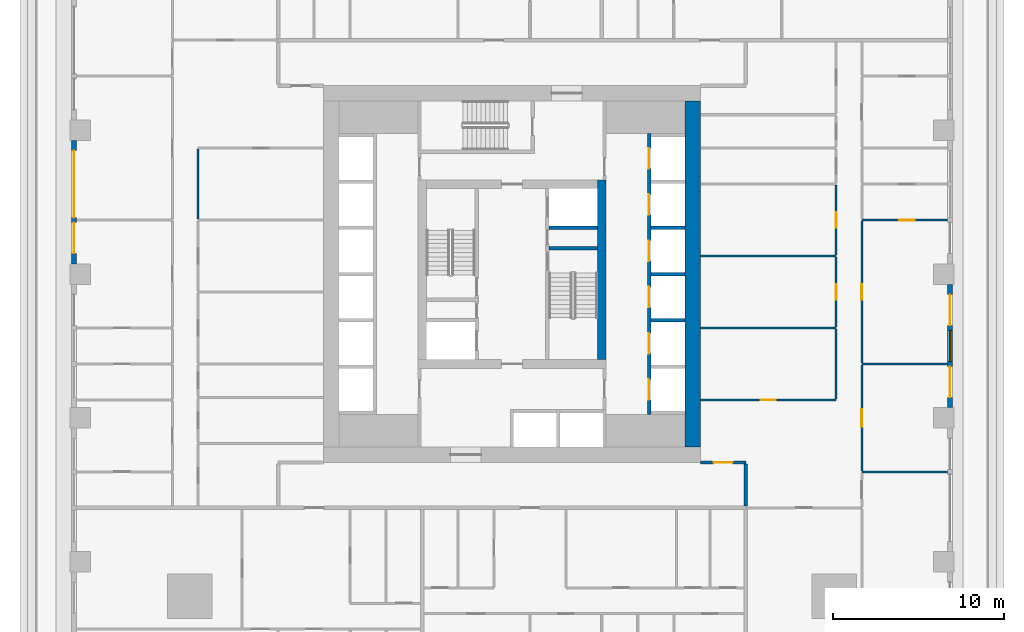
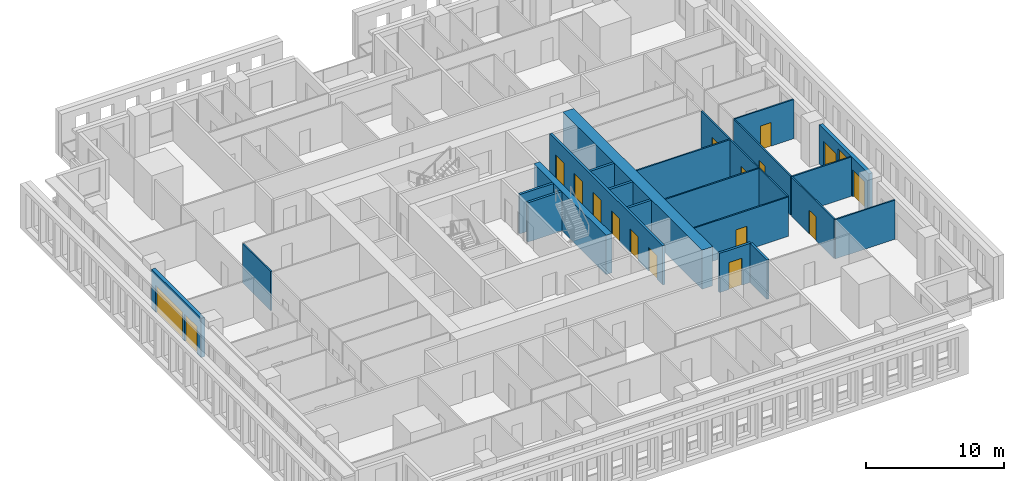
# One storey, part 6 of 16: 24 walls, 17 doors, 1 window, 18 openings.
"""IFC4 building model written with IfcOpenShell, lengths in metres."""

from ifc_helpers import new_model, si_unit, direction, frame, frame_2d, origin, place, context, subcontext, project, spatial, rectangle, extrude, material, layer, layer_set, type_object, element, fill, save


model = new_model("IFC4")

# Units and contexts
model_context = context("Model", 3, precision=1e-05, world=origin(), true_north=direction((0.0, 1.0)))
body_context = subcontext(model_context, "Body", "Model", "MODEL_VIEW")
ifc_project = project(units=[si_unit("LENGTHUNIT", "METRE"), si_unit("AREAUNIT", "SQUARE_METRE"), si_unit("VOLUMEUNIT", "CUBIC_METRE"), si_unit("PLANEANGLEUNIT", "RADIAN"), si_unit("MASSUNIT", "GRAM", prefix="KILO")], contexts=[model_context])

# Site, building, storey
site_placement = place(None, origin())
site = spatial("IfcSite", under=ifc_project, at=site_placement, CompositionType="ELEMENT")
building_placement = place(site_placement, origin())
building = spatial("IfcBuilding", under=site, at=building_placement, Name="Khepri Terraces", CompositionType="ELEMENT")
storey_placement = place(building_placement, frame((0.0, 0.0, 133.800048828125)))
storey = spatial("IfcBuildingStorey", under=building, at=storey_placement, Name="L31", CompositionType="ELEMENT", Elevation=133.800048828125)

# Wall
ifc_material_1 = material(Name="Concrete C60/75", Category="concrete")
ifc_layer_1 = layer(ifc_material_1, 0.199951171875, Name="Concrete C60/75", Category="concrete")
ifc_layer_set_1 = layer_set([ifc_layer_1], Name="Concrete C60/75")
wall_type_1 = type_object("IfcWallType", Name="Core wall 200 C60/75", PredefinedType="SHEAR", material=ifc_layer_set_1)
wall_1_placement = place(storey_placement, frame((2.14990234375, 1.5, 0.0), z_axis=(0.0, 0.0, 1.0), x_axis=(1.0, 0.0, 0.0)))
element("IfcWall", 1, at=wall_1_placement, inside=storey, type_object=wall_type_1, Name="Core wall ST04 L31", PredefinedType="SHEAR", context=body_context, shape_type="SweptSolid", body=[
    extrude(rectangle(XDim=2.85009765625, YDim=0.199951171875, at=frame_2d((1.425048828125, 0.0))), origin(), (0.0, 0.0, 1.0), 3.47998046875),
])

# Wall, openings, doors
wall_2_placement = place(storey_placement, frame((8.0, -8.199951171875, 0.0), z_axis=(0.0, 0.0, 1.0), x_axis=(0.0, 1.0, 0.0)))
wall_2 = element("IfcWall", 2, at=wall_2_placement, inside=storey, type_object=wall_type_1, Name="Core wall SH05 L31", PredefinedType="SHEAR", context=body_context, shape_type="SweptSolid", body=[
    extrude(rectangle(XDim=16.39990234375, YDim=0.199951171875, at=frame_2d((8.199951171875, 0.0))), origin(), (0.0, 0.0, 1.0), 3.47998046875),
])
opening_1_placement = place(wall_2_placement, frame((0.85009765625, 0.0, 0.0)))
opening_1 = element("IfcOpeningElement", 3, at=opening_1_placement, cuts=wall_2, Name="Opening L31-C01", PredefinedType="OPENING", context=body_context, shape_type="SweptSolid", body=[
    extrude(rectangle(XDim=1.199951171875, YDim=2.10009765625, at=frame_2d((0.60009765625, 1.050048828125))), frame((0.0, 0.10986328125, 0.0), z_axis=(0.0, -1.0, 0.0), x_axis=(1.0, 0.0, 0.0)), (0.0, 0.0, 1.0), 0.219970703125),
])
opening_2_placement = place(wall_2_placement, frame((3.550048828125, 0.0, 0.0)))
opening_2 = element("IfcOpeningElement", 4, at=opening_2_placement, cuts=wall_2, Name="Opening L31-C02", PredefinedType="OPENING", context=body_context, shape_type="SweptSolid", body=[
    extrude(rectangle(XDim=1.199951171875, YDim=2.10009765625, at=frame_2d((0.60009765625, 1.050048828125))), frame((0.0, 0.10986328125, 0.0), z_axis=(0.0, -1.0, 0.0), x_axis=(1.0, 0.0, 0.0)), (0.0, 0.0, 1.0), 0.219970703125),
])
opening_3_placement = place(wall_2_placement, frame((6.25, 0.0, 0.0)))
opening_3 = element("IfcOpeningElement", 5, at=opening_3_placement, cuts=wall_2, Name="Opening L31-C03", PredefinedType="OPENING", context=body_context, shape_type="SweptSolid", body=[
    extrude(rectangle(XDim=1.199951171875, YDim=2.10009765625, at=frame_2d((0.60009765625, 1.050048828125))), frame((0.0, 0.10986328125, 0.0), z_axis=(0.0, -1.0, 0.0), x_axis=(1.0, 0.0, 0.0)), (0.0, 0.0, 1.0), 0.219970703125),
])
opening_4_placement = place(wall_2_placement, frame((8.949951171875, 0.0, 0.0)))
opening_4 = element("IfcOpeningElement", 6, at=opening_4_placement, cuts=wall_2, Name="Opening L31-C04", PredefinedType="OPENING", context=body_context, shape_type="SweptSolid", body=[
    extrude(rectangle(XDim=1.199951171875, YDim=2.10009765625, at=frame_2d((0.60009765625, 1.050048828125))), frame((0.0, 0.10986328125, 0.0), z_axis=(0.0, -1.0, 0.0), x_axis=(1.0, 0.0, 0.0)), (0.0, 0.0, 1.0), 0.219970703125),
])
opening_5_placement = place(wall_2_placement, frame((11.64990234375, 0.0, 0.0)))
opening_5 = element("IfcOpeningElement", 7, at=opening_5_placement, cuts=wall_2, Name="Opening L31-C05", PredefinedType="OPENING", context=body_context, shape_type="SweptSolid", body=[
    extrude(rectangle(XDim=1.199951171875, YDim=2.10009765625, at=frame_2d((0.60009765625, 1.050048828125))), frame((0.0, 0.10986328125, 0.0), z_axis=(0.0, -1.0, 0.0), x_axis=(1.0, 0.0, 0.0)), (0.0, 0.0, 1.0), 0.219970703125),
])
opening_6_placement = place(wall_2_placement, frame((14.35009765625, 0.0, 0.0)))
opening_6 = element("IfcOpeningElement", 8, at=opening_6_placement, cuts=wall_2, Name="Opening L31-C06", PredefinedType="OPENING", context=body_context, shape_type="SweptSolid", body=[
    extrude(rectangle(XDim=1.199951171875, YDim=2.10009765625, at=frame_2d((0.60009765625, 1.050048828125))), frame((0.0, 0.10986328125, 0.0), z_axis=(0.0, -1.0, 0.0), x_axis=(1.0, 0.0, 0.0)), (0.0, 0.0, 1.0), 0.219970703125),
])
ifc_material_2 = material(Name="Stainless steel 304", Category="steel")
door_type_1 = type_object("IfcDoorType", Name="DR-CORE-LANDING-1200", OperationType="NOTDEFINED", PredefinedType="DOOR", material=ifc_material_2)
door_1_placement = place(opening_1_placement, origin())
door_1 = element("IfcDoor", 9, at=door_1_placement, inside=storey, type_object=door_type_1, Name="Lift landing door L31-C01", OperationType="SLIDING_TO_LEFT", OverallHeight=2.10009765625, OverallWidth=1.199951171875, PredefinedType="DOOR", context=body_context, shape_type="SweptSolid", body=[
    extrude(rectangle(XDim=1.199951171875, YDim=2.10009765625, at=frame_2d((0.60009765625, 1.050048828125))), frame((0.0, 0.02490234375, 0.0), z_axis=(0.0, -1.0, 0.0), x_axis=(1.0, 0.0, 0.0)), (0.0, 0.0, 1.0), 0.050048828125),
])
fill(opening_1, door_1)
door_2_placement = place(opening_2_placement, origin())
door_2 = element("IfcDoor", 10, at=door_2_placement, inside=storey, type_object=door_type_1, Name="Lift landing door L31-C02", OperationType="SLIDING_TO_LEFT", OverallHeight=2.10009765625, OverallWidth=1.199951171875, PredefinedType="DOOR", context=body_context, shape_type="SweptSolid", body=[
    extrude(rectangle(XDim=1.199951171875, YDim=2.10009765625, at=frame_2d((0.60009765625, 1.050048828125))), frame((0.0, 0.02490234375, 0.0), z_axis=(0.0, -1.0, 0.0), x_axis=(1.0, 0.0, 0.0)), (0.0, 0.0, 1.0), 0.050048828125),
])
fill(opening_2, door_2)
door_3_placement = place(opening_3_placement, origin())
door_3 = element("IfcDoor", 11, at=door_3_placement, inside=storey, type_object=door_type_1, Name="Lift landing door L31-C03", OperationType="SLIDING_TO_LEFT", OverallHeight=2.10009765625, OverallWidth=1.199951171875, PredefinedType="DOOR", context=body_context, shape_type="SweptSolid", body=[
    extrude(rectangle(XDim=1.199951171875, YDim=2.10009765625, at=frame_2d((0.60009765625, 1.050048828125))), frame((0.0, 0.02490234375, 0.0), z_axis=(0.0, -1.0, 0.0), x_axis=(1.0, 0.0, 0.0)), (0.0, 0.0, 1.0), 0.050048828125),
])
fill(opening_3, door_3)
door_4_placement = place(opening_4_placement, origin())
door_4 = element("IfcDoor", 12, at=door_4_placement, inside=storey, type_object=door_type_1, Name="Lift landing door L31-C04", OperationType="SLIDING_TO_LEFT", OverallHeight=2.10009765625, OverallWidth=1.199951171875, PredefinedType="DOOR", context=body_context, shape_type="SweptSolid", body=[
    extrude(rectangle(XDim=1.199951171875, YDim=2.10009765625, at=frame_2d((0.60009765625, 1.050048828125))), frame((0.0, 0.02490234375, 0.0), z_axis=(0.0, -1.0, 0.0), x_axis=(1.0, 0.0, 0.0)), (0.0, 0.0, 1.0), 0.050048828125),
])
fill(opening_4, door_4)
door_5_placement = place(opening_5_placement, origin())
door_5 = element("IfcDoor", 13, at=door_5_placement, inside=storey, type_object=door_type_1, Name="Lift landing door L31-C05", OperationType="SLIDING_TO_LEFT", OverallHeight=2.10009765625, OverallWidth=1.199951171875, PredefinedType="DOOR", context=body_context, shape_type="SweptSolid", body=[
    extrude(rectangle(XDim=1.199951171875, YDim=2.10009765625, at=frame_2d((0.60009765625, 1.050048828125))), frame((0.0, 0.02490234375, 0.0), z_axis=(0.0, -1.0, 0.0), x_axis=(1.0, 0.0, 0.0)), (0.0, 0.0, 1.0), 0.050048828125),
])
fill(opening_5, door_5)
door_6_placement = place(opening_6_placement, origin())
door_6 = element("IfcDoor", 14, at=door_6_placement, inside=storey, type_object=door_type_1, Name="Lift landing door L31-C06", OperationType="SLIDING_TO_LEFT", OverallHeight=2.10009765625, OverallWidth=1.199951171875, PredefinedType="DOOR", context=body_context, shape_type="SweptSolid", body=[
    extrude(rectangle(XDim=1.199951171875, YDim=2.10009765625, at=frame_2d((0.60009765625, 1.050048828125))), frame((0.0, 0.02490234375, 0.0), z_axis=(0.0, -1.0, 0.0), x_axis=(1.0, 0.0, 0.0)), (0.0, 0.0, 1.0), 0.050048828125),
])
fill(opening_6, door_6)

# Walls
for number, where, z_axis, x_axis, name in (
    (15, (8.10009765625, -2.699951171875, 0.0), (0.0, 0.0, 1.0), (1.0, 0.0, 0.0), "Core wall SH15 L31"),
    (16, (8.10009765625, 0.0, 0.0), (0.0, 0.0, 1.0), (1.0, 0.0, 0.0), "Core wall SH17 L31"),
):
    element("IfcWall", number, at=place(storey_placement, frame(where, z_axis=z_axis, x_axis=x_axis)), inside=storey, type_object=wall_type_1, Name=name, PredefinedType="SHEAR", context=body_context, shape_type="SweptSolid", body=[
        extrude(rectangle(XDim=2.0, YDim=0.199951171875, at=frame_2d((1.0, 0.0))), origin(), (0.0, 0.0, 1.0), 3.47998046875),
    ])
wall_3_placement = place(storey_placement, frame((2.14990234375, 2.699951171875, 0.0), z_axis=(0.0, 0.0, 1.0), x_axis=(1.0, 0.0, 0.0)))
element("IfcWall", 17, at=wall_3_placement, inside=storey, type_object=wall_type_1, Name="Core wall SH20 L31", PredefinedType="SHEAR", context=body_context, shape_type="SweptSolid", body=[
    extrude(rectangle(XDim=2.85009765625, YDim=0.199951171875, at=frame_2d((1.425048828125, 0.0))), origin(), (0.0, 0.0, 1.0), 3.47998046875),
])
wall_4_placement = place(storey_placement, frame((8.10009765625, 2.699951171875, 0.0), z_axis=(0.0, 0.0, 1.0), x_axis=(1.0, 0.0, 0.0)))
element("IfcWall", 18, at=wall_4_placement, inside=storey, type_object=wall_type_1, Name="Core wall SH21 L31", PredefinedType="SHEAR", context=body_context, shape_type="SweptSolid", body=[
    extrude(rectangle(XDim=2.0, YDim=0.199951171875, at=frame_2d((1.0, 0.0))), origin(), (0.0, 0.0, 1.0), 3.47998046875),
])
ifc_layer_2 = layer(ifc_material_1, 0.5, Name="Concrete C60/75", Category="concrete")
ifc_layer_set_2 = layer_set([ifc_layer_2], Name="Concrete C60/75")
wall_type_2 = type_object("IfcWallType", Name="Core wall 500 C60/75", PredefinedType="SHEAR", material=ifc_layer_set_2)
wall_5_placement = place(storey_placement, frame((5.25, -5.0, 0.0), z_axis=(0.0, 0.0, 1.0), x_axis=(0.0, 1.0, 0.0)))
element("IfcWall", 19, at=wall_5_placement, inside=storey, type_object=wall_type_2, Name="Core wall BX03 L31", PredefinedType="SHEAR", context=body_context, shape_type="SweptSolid", body=[
    extrude(rectangle(XDim=10.5, YDim=0.5, at=frame_2d((5.25, 0.0))), origin(), (0.0, 0.0, 1.0), 3.47998046875),
])
ifc_layer_3 = layer(ifc_material_1, 0.89990234375, Name="Concrete C60/75", Category="concrete")
ifc_layer_set_3 = layer_set([ifc_layer_3], Name="Concrete C60/75")
wall_type_3 = type_object("IfcWallType", Name="Core wall 900 C60/75", PredefinedType="SHEAR", material=ifc_layer_set_3)
wall_6_placement = place(storey_placement, frame((10.550048828125, -10.10009765625, 0.0), z_axis=(0.0, 0.0, 1.0), x_axis=(0.0, 1.0, 0.0)))
element("IfcWall", 20, at=wall_6_placement, inside=storey, type_object=wall_type_3, Name="Core wall OW-E L31", PredefinedType="SHEAR", context=body_context, shape_type="SweptSolid", body=[
    extrude(rectangle(XDim=20.2001953125, YDim=0.89990234375, at=frame_2d((10.10009765625, 0.0))), origin(), (0.0, 0.0, 1.0), 3.47998046875),
])
ifc_material_3 = material(Name="Fire-rated gypsum plasterboard partition, mineral wool")
ifc_layer_4 = layer(ifc_material_3, 0.199951171875, Name="Fire-rated gypsum plasterboard partition, mineral wool")
ifc_layer_set_4 = layer_set([ifc_layer_4], Name="Fire-rated gypsum plasterboard partition, mineral wool")
wall_type_4 = type_object("IfcWallType", Name="WL-CORR-200", PredefinedType="PARTITIONING", material=ifc_layer_set_4)
wall_7_placement = place(storey_placement, frame((13.64990234375, -13.550048828125, 0.0), z_axis=(0.0, 0.0, 1.0), x_axis=(0.0, 1.0, 0.0)))
element("IfcWall", 21, at=wall_7_placement, inside=storey, type_object=wall_type_4, Name="Partition P-030 L31", PredefinedType="PARTITIONING", context=body_context, shape_type="SweptSolid", body=[
    extrude(rectangle(XDim=2.449951171875, YDim=0.199951171875, at=frame_2d((1.22509765625, 0.0))), origin(), (0.0, 0.0, 1.0), 3.47998046875),
])

# Wall, opening, door
wall_8_placement = place(storey_placement, frame((11.0, -11.0, 0.0), z_axis=(0.0, 0.0, 1.0), x_axis=(1.0, 0.0, 0.0)))
wall_8 = element("IfcWall", 22, at=wall_8_placement, inside=storey, type_object=wall_type_4, Name="Partition P-036 L31", PredefinedType="PARTITIONING", context=body_context, shape_type="SweptSolid", body=[
    extrude(rectangle(XDim=2.64990234375, YDim=0.199951171875, at=frame_2d((1.324951171875, 0.0))), origin(), (0.0, 0.0, 1.0), 3.47998046875),
])
opening_7_placement = place(wall_8_placement, frame((0.77490234375, 0.0, 0.0)))
opening_7 = element("IfcOpeningElement", 23, at=opening_7_placement, cuts=wall_8, Name="Opening D1", PredefinedType="OPENING", context=body_context, shape_type="SweptSolid", body=[
    extrude(rectangle(XDim=1.10009765625, YDim=2.39990234375, at=frame_2d((0.550048828125, 1.199951171875))), frame((0.0, 0.10986328125, 0.0), z_axis=(0.0, -1.0, 0.0), x_axis=(1.0, 0.0, 0.0)), (0.0, 0.0, 1.0), 0.219970703125),
])
ifc_material_4 = material(Name="Solid-core timber door leaf, flat entrance door", Category="wood")
door_type_2 = type_object("IfcDoorType", Name="DR-ENT-1100", OperationType="NOTDEFINED", PredefinedType="DOOR", material=ifc_material_4)
door_7_placement = place(opening_7_placement, origin())
door_7 = element("IfcDoor", 24, at=door_7_placement, inside=storey, type_object=door_type_2, Name="Flat B1 entrance door", OperationType="SINGLE_SWING_LEFT", OverallHeight=2.39990234375, OverallWidth=1.10009765625, PredefinedType="DOOR", context=body_context, shape_type="SweptSolid", body=[
    extrude(rectangle(XDim=1.10009765625, YDim=2.39990234375, at=frame_2d((0.550048828125, 1.199951171875))), frame((0.0, 0.02490234375, 0.0), z_axis=(0.0, -1.0, 0.0), x_axis=(1.0, 0.0, 0.0)), (0.0, 0.0, 1.0), 0.050048828125),
])
fill(opening_7, door_7)

# Wall, openings, doors, window
ifc_material_5 = material(Name="Precast concrete C50/60 warm stone", Category="masonry")
ifc_layer_5 = layer(ifc_material_5, 0.300048828125, Name="Precast concrete C50/60 warm stone", Category="masonry")
ifc_layer_set_5 = layer_set([ifc_layer_5], Name="Precast concrete C50/60 warm stone")
wall_type_5 = type_object("IfcWallType", Name="WL-EXT-PRECAST-300", PredefinedType="STANDARD", material=ifc_layer_set_5)
wall_9_placement = place(storey_placement, frame((25.570068359375, -7.800048828125, 0.0), z_axis=(0.0, 0.0, 1.0), x_axis=(0.0, 1.0, 0.0)))
wall_9 = element("IfcWall", 25, at=wall_9_placement, inside=storey, type_object=wall_type_5, Name="External wall L31 E", PredefinedType="STANDARD", context=body_context, shape_type="SweptSolid", body=[
    extrude(rectangle(XDim=7.199951171875, YDim=0.300048828125, at=frame_2d((3.60009765625, 0.0))), origin(), (0.0, 0.0, 1.0), 3.47998046875),
])
opening_8_placement = place(wall_9_placement, frame((0.60009765625, 0.0, 0.0)))
opening_8 = element("IfcOpeningElement", 26, at=opening_8_placement, cuts=wall_9, Name="Opening ED-L31-04", PredefinedType="OPENING", context=body_context, shape_type="SweptSolid", body=[
    extrude(rectangle(XDim=1.800048828125, YDim=2.39990234375, at=frame_2d((0.89990234375, 1.199951171875))), frame((0.0, 0.16015625, 0.0), z_axis=(0.0, -1.0, 0.0), x_axis=(1.0, 0.0, 0.0)), (0.0, 0.0, 1.0), 0.320068359375),
])
opening_9_placement = place(wall_9_placement, frame((2.699951171875, 0.0, 0.89990234375)))
opening_9 = element("IfcOpeningElement", 27, at=opening_9_placement, cuts=wall_9, Name="Opening W1", PredefinedType="OPENING", context=body_context, shape_type="SweptSolid", body=[
    extrude(rectangle(XDim=1.800048828125, YDim=2.10009765625, at=frame_2d((0.89990234375, 1.050048828125))), frame((0.0, 0.16015625, 0.0), z_axis=(0.0, -1.0, 0.0), x_axis=(1.0, 0.0, 0.0)), (0.0, 0.0, 1.0), 0.320068359375),
])
opening_10_placement = place(wall_9_placement, frame((4.800048828125, 0.0, 0.0)))
opening_10 = element("IfcOpeningElement", 28, at=opening_10_placement, cuts=wall_9, Name="Opening ED-L31-05", PredefinedType="OPENING", context=body_context, shape_type="SweptSolid", body=[
    extrude(rectangle(XDim=1.800048828125, YDim=2.39990234375, at=frame_2d((0.89990234375, 1.199951171875))), frame((0.0, 0.16015625, 0.0), z_axis=(0.0, -1.0, 0.0), x_axis=(1.0, 0.0, 0.0)), (0.0, 0.0, 1.0), 0.320068359375),
])
ifc_material_6 = material(Name="Anodised aluminium bronze glazed door", Category="aluminium")
door_type_3 = type_object("IfcDoorType", Name="DR-BAL-SLIDE-1800x2400", OperationType="NOTDEFINED", PredefinedType="DOOR", material=ifc_material_6)
door_8_placement = place(opening_8_placement, origin())
door_8 = element("IfcDoor", 29, at=door_8_placement, inside=storey, type_object=door_type_3, Name="Balcony door L31 E", OperationType="SLIDING_TO_LEFT", OverallHeight=2.39990234375, OverallWidth=1.800048828125, PredefinedType="DOOR", context=body_context, shape_type="SweptSolid", body=[
    extrude(rectangle(XDim=1.800048828125, YDim=2.39990234375, at=frame_2d((0.89990234375, 1.199951171875))), frame((0.0, 0.02490234375, 0.0), z_axis=(0.0, -1.0, 0.0), x_axis=(1.0, 0.0, 0.0)), (0.0, 0.0, 1.0), 0.050048828125),
])
fill(opening_8, door_8)
door_9_placement = place(opening_10_placement, origin())
door_9 = element("IfcDoor", 30, at=door_9_placement, inside=storey, type_object=door_type_3, Name="Balcony door L31 E", OperationType="SLIDING_TO_RIGHT", OverallHeight=2.39990234375, OverallWidth=1.800048828125, PredefinedType="DOOR", context=body_context, shape_type="SweptSolid", body=[
    extrude(rectangle(XDim=1.800048828125, YDim=2.39990234375, at=frame_2d((0.89990234375, 1.199951171875))), frame((0.0, 0.02490234375, 0.0), z_axis=(0.0, -1.0, 0.0), x_axis=(1.0, 0.0, 0.0)), (0.0, 0.0, 1.0), 0.050048828125),
])
fill(opening_10, door_9)
ifc_material_7 = material(Name="Clear glass", Category="glass")
window_type = type_object("IfcWindowType", Name="WIN-RES-1800x2100", PartitioningType="SINGLE_PANEL", PredefinedType="WINDOW", material=ifc_material_7)
window_placement = place(opening_9_placement, origin())
window = element("IfcWindow", 31, at=window_placement, inside=storey, type_object=window_type, Name="Window L31 E", OverallHeight=2.10009765625, OverallWidth=1.800048828125, PartitioningType="SINGLE_PANEL", PredefinedType="WINDOW", context=body_context, shape_type="SweptSolid", body=[
    extrude(rectangle(XDim=1.800048828125, YDim=2.10009765625, at=frame_2d((0.89990234375, 1.050048828125))), frame((0.0, 0.030029296875, 0.0), z_axis=(0.0, -1.0, 0.0), x_axis=(1.0, 0.0, 0.0)), (0.0, 0.0, 1.0), 0.06005859375),
])
fill(opening_9, window)

# Wall, openings, doors
wall_10_placement = place(storey_placement, frame((-25.570068359375, 7.800048828125, 0.0), z_axis=(0.0, 0.0, 1.0), x_axis=(0.0, -1.0, 0.0)))
wall_10 = element("IfcWall", 32, at=wall_10_placement, inside=storey, type_object=wall_type_5, Name="External wall L31 W", PredefinedType="STANDARD", context=body_context, shape_type="SweptSolid", body=[
    extrude(rectangle(XDim=7.199951171875, YDim=0.300048828125, at=frame_2d((3.60009765625, 0.0))), origin(), (0.0, 0.0, 1.0), 3.47998046875),
])
opening_11_placement = place(wall_10_placement, frame((0.60009765625, 0.0, 0.0)))
opening_11 = element("IfcOpeningElement", 33, at=opening_11_placement, cuts=wall_10, Name="Opening ED-L31-16", PredefinedType="OPENING", context=body_context, shape_type="SweptSolid", body=[
    extrude(rectangle(XDim=3.89990234375, YDim=2.39990234375, at=frame_2d((1.949951171875, 1.199951171875))), frame((0.0, 0.16015625, 0.0), z_axis=(0.0, -1.0, 0.0), x_axis=(1.0, 0.0, 0.0)), (0.0, 0.0, 1.0), 0.320068359375),
])
opening_12_placement = place(wall_10_placement, frame((4.800048828125, 0.0, 0.0)))
opening_12 = element("IfcOpeningElement", 34, at=opening_12_placement, cuts=wall_10, Name="Opening ED-L31-17", PredefinedType="OPENING", context=body_context, shape_type="SweptSolid", body=[
    extrude(rectangle(XDim=1.800048828125, YDim=2.39990234375, at=frame_2d((0.89990234375, 1.199951171875))), frame((0.0, 0.16015625, 0.0), z_axis=(0.0, -1.0, 0.0), x_axis=(1.0, 0.0, 0.0)), (0.0, 0.0, 1.0), 0.320068359375),
])
door_10_placement = place(opening_12_placement, origin())
door_10 = element("IfcDoor", 35, at=door_10_placement, inside=storey, type_object=door_type_3, Name="Balcony door L31 W", OperationType="SLIDING_TO_RIGHT", OverallHeight=2.39990234375, OverallWidth=1.800048828125, PredefinedType="DOOR", context=body_context, shape_type="SweptSolid", body=[
    extrude(rectangle(XDim=1.800048828125, YDim=2.39990234375, at=frame_2d((0.89990234375, 1.199951171875))), frame((0.0, 0.02490234375, 0.0), z_axis=(0.0, -1.0, 0.0), x_axis=(1.0, 0.0, 0.0)), (0.0, 0.0, 1.0), 0.050048828125),
])
fill(opening_12, door_10)
door_type_4 = type_object("IfcDoorType", Name="DR-BAL-SLIDE-3900x2400", OperationType="NOTDEFINED", PredefinedType="DOOR", material=ifc_material_6)
door_11_placement = place(opening_11_placement, origin())
door_11 = element("IfcDoor", 36, at=door_11_placement, inside=storey, type_object=door_type_4, Name="Balcony door L31 W", OperationType="SLIDING_TO_LEFT", OverallHeight=2.39990234375, OverallWidth=3.89990234375, PredefinedType="DOOR", context=body_context, shape_type="SweptSolid", body=[
    extrude(rectangle(XDim=3.89990234375, YDim=2.39990234375, at=frame_2d((1.949951171875, 1.199951171875))), frame((0.0, 0.02490234375, 0.0), z_axis=(0.0, -1.0, 0.0), x_axis=(1.0, 0.0, 0.0)), (0.0, 0.0, 1.0), 0.050048828125),
])
fill(opening_11, door_11)

# Wall
ifc_material_8 = material(Name="Gypsum plasterboard partition")
ifc_layer_6 = layer(ifc_material_8, 0.1201171875, Name="Gypsum plasterboard partition")
ifc_layer_set_6 = layer_set([ifc_layer_6], Name="Gypsum plasterboard partition")
wall_type_6 = type_object("IfcWallType", Name="WL-PART-120", PredefinedType="PARTITIONING", material=ifc_layer_set_6)
wall_11_placement = place(storey_placement, frame((20.419921875, -11.550048828125, 0.0), z_axis=(0.0, 0.0, 1.0), x_axis=(1.0, 0.0, 0.0)))
element("IfcWall", 37, at=wall_11_placement, inside=storey, type_object=wall_type_6, Name="Partition P-032 L31", PredefinedType="PARTITIONING", context=body_context, shape_type="SweptSolid", body=[
    extrude(rectangle(XDim=5.0, YDim=0.1201171875, at=frame_2d((2.5, 0.0))), origin(), (0.0, 0.0, 1.0), 3.47998046875),
])

# Wall, opening, door
wall_12_placement = place(storey_placement, frame((20.419921875, -11.489990234375, 0.0), z_axis=(0.0, 0.0, 1.0), x_axis=(0.0, 1.0, 0.0)))
wall_12 = element("IfcWall", 38, at=wall_12_placement, inside=storey, type_object=wall_type_6, Name="Partition P-034 L31", PredefinedType="PARTITIONING", context=body_context, shape_type="SweptSolid", body=[
    extrude(rectangle(XDim=6.179931640625, YDim=0.1201171875, at=frame_2d((3.08984375, 0.0))), origin(), (0.0, 0.0, 1.0), 3.47998046875),
])
opening_13_placement = place(wall_12_placement, frame((2.590087890625, 0.0, 0.0)))
opening_13 = element("IfcOpeningElement", 39, at=opening_13_placement, cuts=wall_12, Name="Opening D2", PredefinedType="OPENING", context=body_context, shape_type="SweptSolid", body=[
    extrude(rectangle(XDim=1.0, YDim=2.10009765625, at=frame_2d((0.5, 1.050048828125))), frame((0.0, 0.070068359375, 0.0), z_axis=(0.0, -1.0, 0.0), x_axis=(1.0, 0.0, 0.0)), (0.0, 0.0, 1.0), 0.14013671875),
])
ifc_material_9 = material(Name="Timber door leaf, living room door", Category="wood")
door_type_5 = type_object("IfcDoorType", Name="DR-INT-1000", OperationType="NOTDEFINED", PredefinedType="DOOR", material=ifc_material_9)
door_12_placement = place(opening_13_placement, frame((1.0, 0.0, 0.0), z_axis=(0.0, 0.0, 1.0), x_axis=(-1.0, 0.0, 0.0)))
door_12 = element("IfcDoor", 40, at=door_12_placement, inside=storey, type_object=door_type_5, Name="Door Family Room", OperationType="SINGLE_SWING_RIGHT", OverallHeight=2.10009765625, OverallWidth=1.0, PredefinedType="DOOR", context=body_context, shape_type="SweptSolid", body=[
    extrude(rectangle(XDim=1.0, YDim=2.10009765625, at=frame_2d((0.5, 1.050048828125))), frame((0.0, 0.02490234375, 0.0), z_axis=(0.0, -1.0, 0.0), x_axis=(1.0, 0.0, 0.0)), (0.0, 0.0, 1.0), 0.050048828125),
])
fill(opening_13, door_12)

wall_13_placement = place(storey_placement, frame((11.0, -7.35009765625, 0.0), z_axis=(0.0, 0.0, 1.0), x_axis=(1.0, 0.0, 0.0)))
wall_13 = element("IfcWall", 41, at=wall_13_placement, inside=storey, type_object=wall_type_6, Name="Partition P-040 L31", PredefinedType="PARTITIONING", context=body_context, shape_type="SweptSolid", body=[
    extrude(rectangle(XDim=7.919921875, YDim=0.1201171875, at=frame_2d((3.9599609375, 0.0))), origin(), (0.0, 0.0, 1.0), 3.47998046875),
])
opening_14_placement = place(wall_13_placement, frame((3.510009765625, 0.0, 0.0)))
opening_14 = element("IfcOpeningElement", 42, at=opening_14_placement, cuts=wall_13, Name="Opening D3", PredefinedType="OPENING", context=body_context, shape_type="SweptSolid", body=[
    extrude(rectangle(XDim=0.89990234375, YDim=2.10009765625, at=frame_2d((0.449951171875, 1.050048828125))), frame((0.0, 0.070068359375, 0.0), z_axis=(0.0, -1.0, 0.0), x_axis=(1.0, 0.0, 0.0)), (0.0, 0.0, 1.0), 0.14013671875),
])
ifc_material_10 = material(Name="Timber door leaf", Category="wood")
door_type_6 = type_object("IfcDoorType", Name="DR-INT-900", OperationType="NOTDEFINED", PredefinedType="DOOR", material=ifc_material_10)
door_13_placement = place(opening_14_placement, origin())
door_13 = element("IfcDoor", 43, at=door_13_placement, inside=storey, type_object=door_type_6, Name="Door Kitchen", OperationType="SINGLE_SWING_RIGHT", OverallHeight=2.10009765625, OverallWidth=0.89990234375, PredefinedType="DOOR", context=body_context, shape_type="SweptSolid", body=[
    extrude(rectangle(XDim=0.89990234375, YDim=2.10009765625, at=frame_2d((0.449951171875, 1.050048828125))), frame((0.0, 0.02490234375, 0.0), z_axis=(0.0, -1.0, 0.0), x_axis=(1.0, 0.0, 0.0)), (0.0, 0.0, 1.0), 0.050048828125),
])
fill(opening_14, door_13)

# Walls
wall_14_placement = place(storey_placement, frame((18.919921875, -7.2900390625, 0.0), z_axis=(0.0, 0.0, 1.0), x_axis=(0.0, 1.0, 0.0)))
element("IfcWall", 44, at=wall_14_placement, inside=storey, type_object=wall_type_6, Name="Partition P-042 L31", PredefinedType="PARTITIONING", context=body_context, shape_type="SweptSolid", body=[
    extrude(rectangle(XDim=4.080078125, YDim=0.1201171875, at=frame_2d((2.0400390625, 0.0))), origin(), (0.0, 0.0, 1.0), 3.47998046875),
])
wall_15_placement = place(storey_placement, frame((20.419921875, -5.25, 0.0), z_axis=(0.0, 0.0, 1.0), x_axis=(1.0, 0.0, 0.0)))
element("IfcWall", 45, at=wall_15_placement, inside=storey, type_object=wall_type_6, Name="Partition P-047 L31", PredefinedType="PARTITIONING", context=body_context, shape_type="SweptSolid", body=[
    extrude(rectangle(XDim=5.0, YDim=0.1201171875, at=frame_2d((2.5, 0.0))), origin(), (0.0, 0.0, 1.0), 3.47998046875),
])

# Wall, opening, door
wall_16_placement = place(storey_placement, frame((20.419921875, -5.18994140625, 0.0), z_axis=(0.0, 0.0, 1.0), x_axis=(0.0, 1.0, 0.0)))
wall_16 = element("IfcWall", 46, at=wall_16_placement, inside=storey, type_object=wall_type_6, Name="Partition P-050 L31", PredefinedType="PARTITIONING", context=body_context, shape_type="SweptSolid", body=[
    extrude(rectangle(XDim=8.280029296875, YDim=0.1201171875, at=frame_2d((4.14013671875, 0.0))), origin(), (0.0, 0.0, 1.0), 3.47998046875),
])
opening_15_placement = place(wall_16_placement, frame((3.68994140625, 0.0, 0.0)))
opening_15 = element("IfcOpeningElement", 47, at=opening_15_placement, cuts=wall_16, Name="Opening D3", PredefinedType="OPENING", context=body_context, shape_type="SweptSolid", body=[
    extrude(rectangle(XDim=0.89990234375, YDim=2.10009765625, at=frame_2d((0.449951171875, 1.050048828125))), frame((0.0, 0.070068359375, 0.0), z_axis=(0.0, -1.0, 0.0), x_axis=(1.0, 0.0, 0.0)), (0.0, 0.0, 1.0), 0.14013671875),
])
door_14_placement = place(opening_15_placement, frame((0.89990234375, 0.0, 0.0), z_axis=(0.0, 0.0, 1.0), x_axis=(-1.0, 0.0, 0.0)))
door_14 = element("IfcDoor", 48, at=door_14_placement, inside=storey, type_object=door_type_6, Name="Door Master Bedroom", OperationType="SINGLE_SWING_LEFT", OverallHeight=2.10009765625, OverallWidth=0.89990234375, PredefinedType="DOOR", context=body_context, shape_type="SweptSolid", body=[
    extrude(rectangle(XDim=0.89990234375, YDim=2.10009765625, at=frame_2d((0.449951171875, 1.050048828125))), frame((0.0, 0.02490234375, 0.0), z_axis=(0.0, -1.0, 0.0), x_axis=(1.0, 0.0, 0.0)), (0.0, 0.0, 1.0), 0.050048828125),
])
fill(opening_15, door_14)

# Wall
wall_17_placement = place(storey_placement, frame((11.0, -3.14990234375, 0.0), z_axis=(0.0, 0.0, 1.0), x_axis=(1.0, 0.0, 0.0)))
element("IfcWall", 49, at=wall_17_placement, inside=storey, type_object=wall_type_6, Name="Partition P-052 L31", PredefinedType="PARTITIONING", context=body_context, shape_type="SweptSolid", body=[
    extrude(rectangle(XDim=7.919921875, YDim=0.1201171875, at=frame_2d((3.9599609375, 0.0))), origin(), (0.0, 0.0, 1.0), 3.47998046875),
])

# Wall, opening, door
wall_18_placement = place(storey_placement, frame((18.919921875, -3.090087890625, 0.0), z_axis=(0.0, 0.0, 1.0), x_axis=(0.0, 1.0, 0.0)))
wall_18 = element("IfcWall", 50, at=wall_18_placement, inside=storey, type_object=wall_type_6, Name="Partition P-054 L31", PredefinedType="PARTITIONING", context=body_context, shape_type="SweptSolid", body=[
    extrude(rectangle(XDim=4.080078125, YDim=0.1201171875, at=frame_2d((2.0400390625, 0.0))), origin(), (0.0, 0.0, 1.0), 3.47998046875),
])
opening_16_placement = place(wall_18_placement, frame((1.590087890625, 0.0, 0.0)))
opening_16 = element("IfcOpeningElement", 51, at=opening_16_placement, cuts=wall_18, Name="Opening D3", PredefinedType="OPENING", context=body_context, shape_type="SweptSolid", body=[
    extrude(rectangle(XDim=0.89990234375, YDim=2.10009765625, at=frame_2d((0.449951171875, 1.050048828125))), frame((0.0, 0.070068359375, 0.0), z_axis=(0.0, -1.0, 0.0), x_axis=(1.0, 0.0, 0.0)), (0.0, 0.0, 1.0), 0.14013671875),
])
door_15_placement = place(opening_16_placement, origin())
door_15 = element("IfcDoor", 52, at=door_15_placement, inside=storey, type_object=door_type_6, Name="Door Service Kitchen", OperationType="SINGLE_SWING_RIGHT", OverallHeight=2.10009765625, OverallWidth=0.89990234375, PredefinedType="DOOR", context=body_context, shape_type="SweptSolid", body=[
    extrude(rectangle(XDim=0.89990234375, YDim=2.10009765625, at=frame_2d((0.449951171875, 1.050048828125))), frame((0.0, 0.02490234375, 0.0), z_axis=(0.0, -1.0, 0.0), x_axis=(1.0, 0.0, 0.0)), (0.0, 0.0, 1.0), 0.050048828125),
])
fill(opening_16, door_15)

# Wall
wall_19_placement = place(storey_placement, frame((11.0, 1.050048828125, 0.0), z_axis=(0.0, 0.0, 1.0), x_axis=(1.0, 0.0, 0.0)))
element("IfcWall", 53, at=wall_19_placement, inside=storey, type_object=wall_type_6, Name="Partition P-057 L31", PredefinedType="PARTITIONING", context=body_context, shape_type="SweptSolid", body=[
    extrude(rectangle(XDim=7.919921875, YDim=0.1201171875, at=frame_2d((3.9599609375, 0.0))), origin(), (0.0, 0.0, 1.0), 3.47998046875),
])

# Wall, opening, door
wall_20_placement = place(storey_placement, frame((18.919921875, 1.110107421875, 0.0), z_axis=(0.0, 0.0, 1.0), x_axis=(0.0, 1.0, 0.0)))
wall_20 = element("IfcWall", 54, at=wall_20_placement, inside=storey, type_object=wall_type_6, Name="Partition P-058 L31", PredefinedType="PARTITIONING", context=body_context, shape_type="SweptSolid", body=[
    extrude(rectangle(XDim=4.079833984375, YDim=0.1201171875, at=frame_2d((2.0400390625, 0.0))), origin(), (0.0, 0.0, 1.0), 3.47998046875),
])
opening_17_placement = place(wall_20_placement, frame((1.590087890625, 0.0, 0.0)))
opening_17 = element("IfcOpeningElement", 55, at=opening_17_placement, cuts=wall_20, Name="Opening D3", PredefinedType="OPENING", context=body_context, shape_type="SweptSolid", body=[
    extrude(rectangle(XDim=0.89990234375, YDim=2.10009765625, at=frame_2d((0.449951171875, 1.050048828125))), frame((0.0, 0.070068359375, 0.0), z_axis=(0.0, -1.0, 0.0), x_axis=(1.0, 0.0, 0.0)), (0.0, 0.0, 1.0), 0.14013671875),
])
door_16_placement = place(opening_17_placement, origin())
door_16 = element("IfcDoor", 56, at=door_16_placement, inside=storey, type_object=door_type_6, Name="Door Staff Bedroom", OperationType="SINGLE_SWING_RIGHT", OverallHeight=2.10009765625, OverallWidth=0.89990234375, PredefinedType="DOOR", context=body_context, shape_type="SweptSolid", body=[
    extrude(rectangle(XDim=0.89990234375, YDim=2.10009765625, at=frame_2d((0.449951171875, 1.050048828125))), frame((0.0, 0.02490234375, 0.0), z_axis=(0.0, -1.0, 0.0), x_axis=(1.0, 0.0, 0.0)), (0.0, 0.0, 1.0), 0.050048828125),
])
fill(opening_17, door_16)

wall_21_placement = place(storey_placement, frame((20.419921875, 3.14990234375, 0.0), z_axis=(0.0, 0.0, 1.0), x_axis=(1.0, 0.0, 0.0)))
wall_21 = element("IfcWall", 57, at=wall_21_placement, inside=storey, type_object=wall_type_6, Name="Partition P-061 L31", PredefinedType="PARTITIONING", context=body_context, shape_type="SweptSolid", body=[
    extrude(rectangle(XDim=5.0, YDim=0.1201171875, at=frame_2d((2.5, 0.0))), origin(), (0.0, 0.0, 1.0), 3.47998046875),
])
opening_18_placement = place(wall_21_placement, frame((2.199951171875, 0.0, 0.0)))
opening_18 = element("IfcOpeningElement", 58, at=opening_18_placement, cuts=wall_21, Name="Opening D3", PredefinedType="OPENING", context=body_context, shape_type="SweptSolid", body=[
    extrude(rectangle(XDim=0.89990234375, YDim=2.10009765625, at=frame_2d((0.449951171875, 1.050048828125))), frame((0.0, 0.070068359375, 0.0), z_axis=(0.0, -1.0, 0.0), x_axis=(1.0, 0.0, 0.0)), (0.0, 0.0, 1.0), 0.14013671875),
])
door_17_placement = place(opening_18_placement, origin())
door_17 = element("IfcDoor", 59, at=door_17_placement, inside=storey, type_object=door_type_6, Name="Door Dressing Room", OperationType="SINGLE_SWING_RIGHT", OverallHeight=2.10009765625, OverallWidth=0.89990234375, PredefinedType="DOOR", context=body_context, shape_type="SweptSolid", body=[
    extrude(rectangle(XDim=0.89990234375, YDim=2.10009765625, at=frame_2d((0.449951171875, 1.050048828125))), frame((0.0, 0.02490234375, 0.0), z_axis=(0.0, -1.0, 0.0), x_axis=(1.0, 0.0, 0.0)), (0.0, 0.0, 1.0), 0.050048828125),
])
fill(opening_18, door_17)

# Wall
wall_22_placement = place(storey_placement, frame((-18.320068359375, 3.2099609375, 0.0), z_axis=(0.0, 0.0, 1.0), x_axis=(0.0, 1.0, 0.0)))
element("IfcWall", 60, at=wall_22_placement, inside=storey, type_object=wall_type_6, Name="Partition P-063 L31", PredefinedType="PARTITIONING", context=body_context, shape_type="SweptSolid", body=[
    extrude(rectangle(XDim=4.080078125, YDim=0.1201171875, at=frame_2d((2.0400390625, 0.0))), origin(), (0.0, 0.0, 1.0), 3.47998046875),
])

save(model, "model.ifc")
